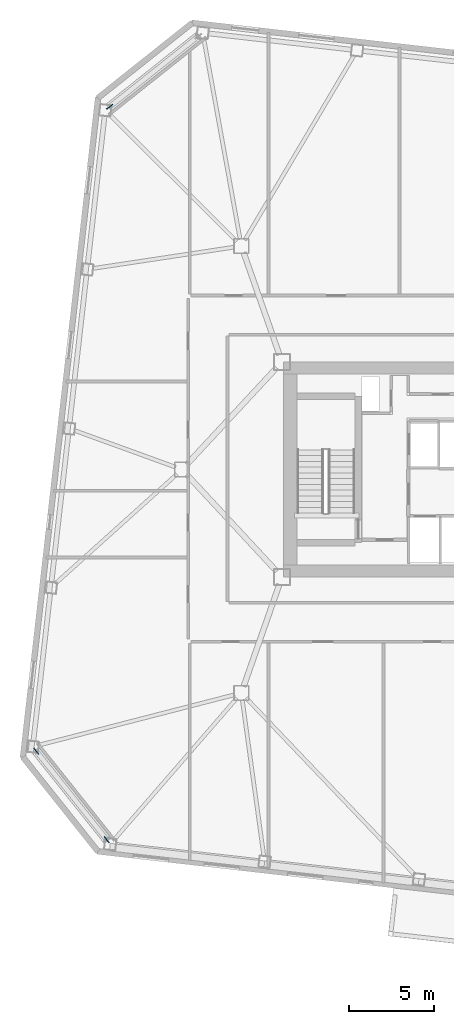
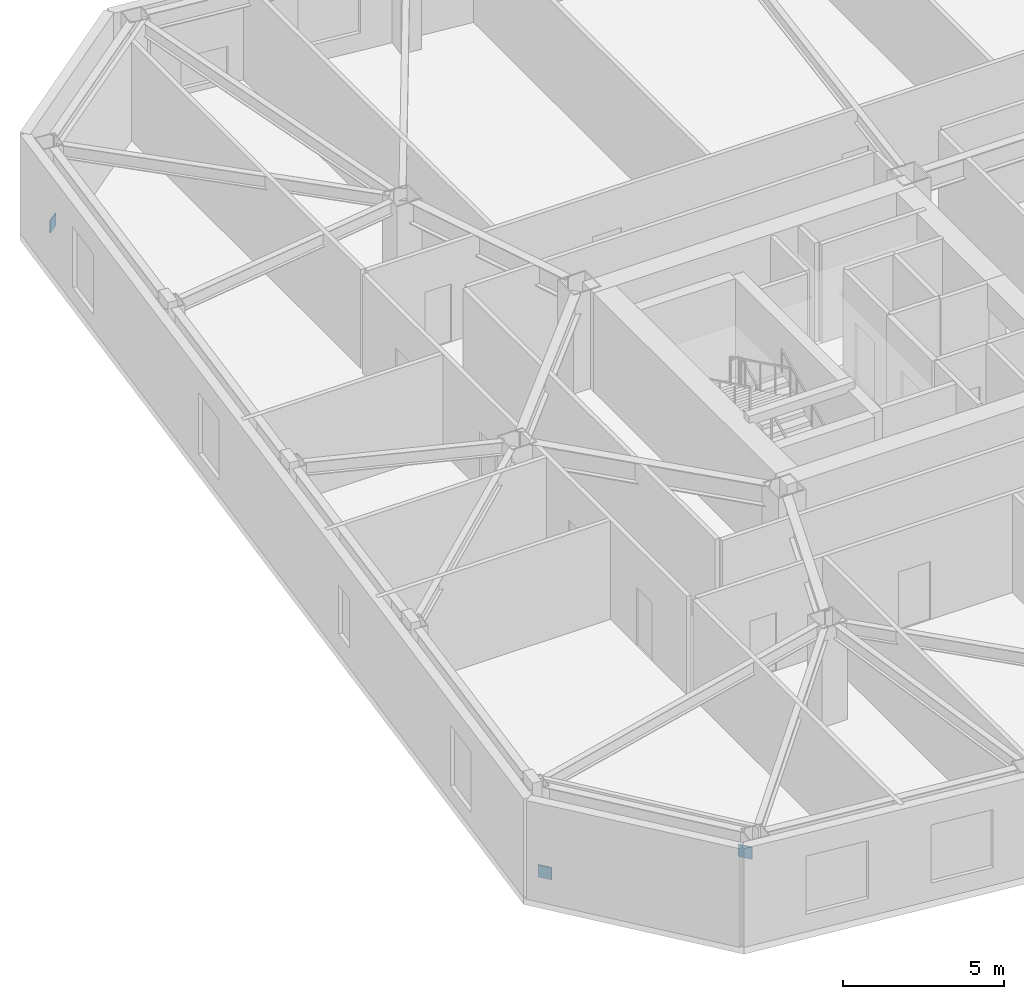
# One storey, part 16 of 20: 3 discrete accessories.
"""IFC4 building model written with IfcOpenShell, lengths in metres."""

from ifc_helpers import new_model, si_unit, direction, frame, origin, origin_2d, place, context, subcontext, project, spatial, rectangle, extrude, material, type_object, element, save


model = new_model("IFC4")

# Units and contexts
model_context = context("Model", 3, precision=1e-05, world=origin(), true_north=direction((0.0, 1.0)))
body_context = subcontext(model_context, "Body", "Model", "MODEL_VIEW")
ifc_project = project(units=[si_unit("LENGTHUNIT", "METRE"), si_unit("AREAUNIT", "SQUARE_METRE"), si_unit("VOLUMEUNIT", "CUBIC_METRE"), si_unit("PLANEANGLEUNIT", "RADIAN"), si_unit("MASSUNIT", "GRAM", prefix="KILO")], contexts=[model_context])

# Site, building, storey
site_placement = place(None, origin())
site = spatial("IfcSite", under=ifc_project, at=site_placement, CompositionType="ELEMENT")
building_placement = place(site_placement, origin())
building = spatial("IfcBuilding", under=site, at=building_placement, Name="Tavrogorsk Clinical Tower", CompositionType="ELEMENT")
storey_placement = place(building_placement, frame((0.0, 0.0, 105.39990234375)))
storey = spatial("IfcBuildingStorey", under=building, at=storey_placement, Name="L23", CompositionType="ELEMENT", Elevation=105.39990234375)

# Discrete accessories
ifc_material = material(Name="Structural steel S440", Category="steel")
discrete_accessory_type = type_object("IfcDiscreteAccessoryType", Name="GussetPlateBracket_25", PredefinedType="BRACKET", material=ifc_material)
for number, where, z_axis, x_axis, name in (
    (1, (-32.27587890625, 21.431884765625, 0.195068359375), (0.0, 0.0, 1.0), (0.782608156852, 0.622514636638, 0.0), "L23 Brace Gusset Plate EXOCRN-L23-3-A"),
    (2, (-36.613037109375, -16.63623046875, 0.195068359375), (0.0, 0.0, 1.0), (0.622514636638, -0.782608156852, 0.0), "L23 Brace Gusset Plate EXOCRN-L23-4-A"),
    (3, (-32.452880859375, -21.866455078125, 2.68505859375), (0.0, 0.0, 1.0), (0.622514636638, -0.782608156852, 0.0), "L23 Brace Gusset Plate EXOCRN-L23-4-B"),
):
    element("IfcDiscreteAccessory", number, at=place(storey_placement, frame(where, z_axis=z_axis, x_axis=x_axis)), inside=storey, type_object=discrete_accessory_type, Name=name, PredefinedType="BRACKET", context=body_context, shape_type="SweptSolid", body=[
        extrude(rectangle(XDim=0.4599609375, YDim=0.0400390625, at=origin_2d()), origin(), (0.0, 0.0, 1.0), 0.4599609375),
    ])

save(model, "model.ifc")
